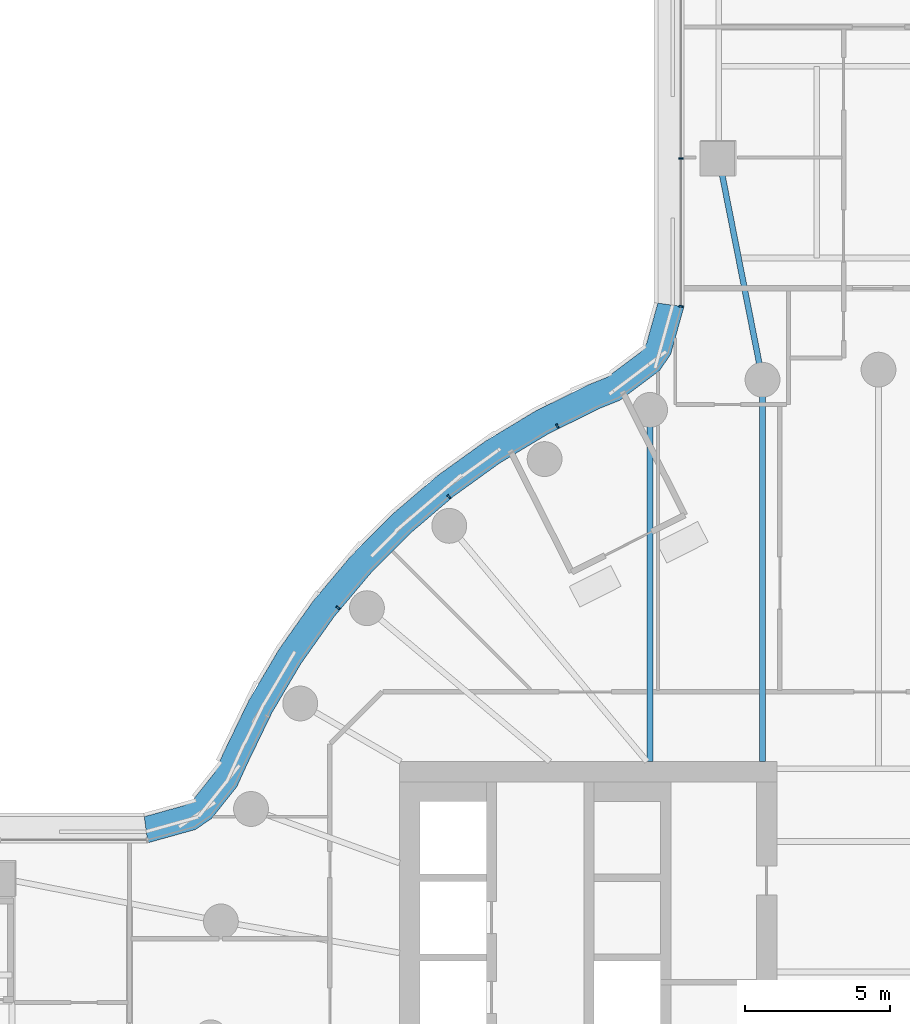
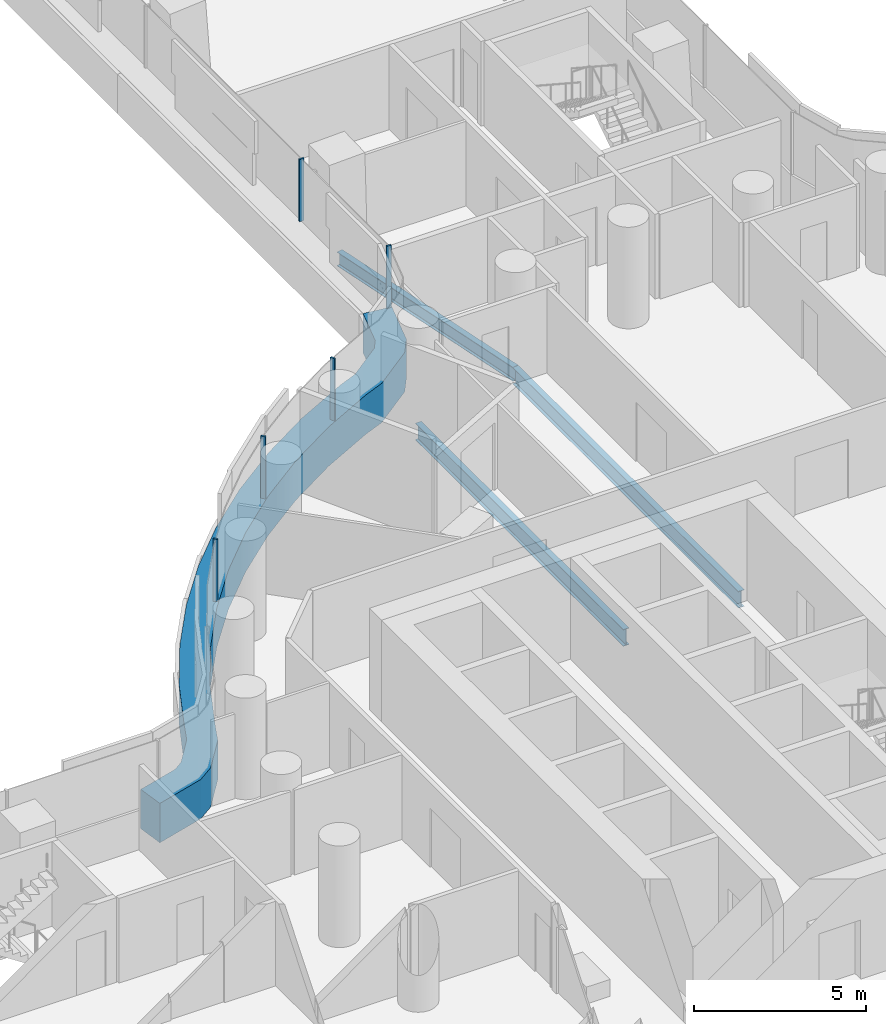
# One storey, part 13 of 32: 6 members, 3 beams, 2 elements without a shape of their own.
"""IFC4 building model written with IfcOpenShell, lengths in metres."""

from ifc_helpers import new_model, si_unit, direction, frame, origin, origin_2d, place, context, subcontext, project, spatial, polyline, rectangle, i_section, outline, extrude, material, layer, layer_set, material_profile, profile_set, type_object, element, aggregate, save


model = new_model("IFC4")

# Units and contexts
model_context = context("Model", 3, precision=1e-05, world=origin(), true_north=direction((0.0, 1.0)))
body_context = subcontext(model_context, "Body", "Model", "MODEL_VIEW")
ifc_project = project(units=[si_unit("LENGTHUNIT", "METRE"), si_unit("AREAUNIT", "SQUARE_METRE"), si_unit("VOLUMEUNIT", "CUBIC_METRE"), si_unit("PLANEANGLEUNIT", "RADIAN"), si_unit("MASSUNIT", "GRAM", prefix="KILO")], contexts=[model_context])

# Site, building, storey
site_placement = place(None, origin())
site = spatial("IfcSite", under=ifc_project, at=site_placement, CompositionType="ELEMENT")
building_placement = place(site_placement, origin())
building = spatial("IfcBuilding", under=site, at=building_placement, Name="Tamarind Cross Interchange Tower", CompositionType="ELEMENT")
storey_placement = place(building_placement, frame((0.0, 0.0, 34.0)))
storey = spatial("IfcBuildingStorey", under=building, at=storey_placement, Name="L06", CompositionType="ELEMENT", Elevation=34.0)

# Beams
ifc_material_1 = material(Name="Steel Q355B", Category="steel")
ifc_material_profile_1 = material_profile(ifc_material_1, i_section(OverallWidth=0.198974609375, OverallDepth=0.49609375, WebThickness=0.009033203125, FlangeThickness=0.013916015625, FilletRadius=0.012939453125, at=origin_2d()), Name="HN 496x199x9x14")
ifc_profile_set_1 = profile_set([ifc_material_profile_1], Name="Steel Q355B")
beam_type_1 = type_object("IfcBeamType", Name="Composite beam HN 496x199x9x14 Q355B", PredefinedType="BEAM", material=ifc_profile_set_1)
beam_1_placement = place(storey_placement, frame((-5.5, 30.300048828125, -0.387939453125), z_axis=(0.193182484014, -0.981162844726, 0.0), x_axis=(0.981162844726, 0.193182484014, 0.0)))
element("IfcBeam", 1, at=beam_1_placement, inside=storey, type_object=beam_type_1, Name="Beam N-linkep", PredefinedType="BEAM", context=body_context, shape_type="SweptSolid", body=[
    extrude(i_section(OverallWidth=0.198974609375, OverallDepth=0.49609375, WebThickness=0.009033203125, FlangeThickness=0.013916015625, FilletRadius=0.012939453125, at=origin_2d()), origin(), (0.0, 0.0, 1.0), 7.79638671875),
])
ifc_material_profile_2 = material_profile(ifc_material_1, i_section(OverallWidth=0.198974609375, OverallDepth=0.595947265625, WebThickness=0.010009765625, FlangeThickness=0.014892578125, FilletRadius=0.012939453125, at=origin_2d()), Name="HN 596x199x10x15")
ifc_profile_set_2 = profile_set([ifc_material_profile_2], Name="Steel Q355B")
beam_type_2 = type_object("IfcBeamType", Name="Composite beam HN 596x199x10x15 Q355B", PredefinedType="BEAM", material=ifc_profile_set_2)
beam_2_placement = place(storey_placement, frame((-3.993896484375, 22.650634765625, -0.43798828125), z_axis=(0.0, -1.0, 0.0), x_axis=(1.0, 0.0, 0.0)))
element("IfcBeam", 2, at=beam_2_placement, inside=storey, type_object=beam_type_2, Name="Beam HH10", PredefinedType="BEAM", context=body_context, shape_type="SweptSolid", body=[
    extrude(i_section(OverallWidth=0.198974609375, OverallDepth=0.595947265625, WebThickness=0.010009765625, FlangeThickness=0.014892578125, FilletRadius=0.012939453125, at=origin_2d()), origin(), (0.0, 0.0, 1.0), 13.150634765625),
])
beam_3_placement = place(storey_placement, frame((-7.866455078125, 21.613037109375, -0.43798828125), z_axis=(0.0, -1.0, 0.0), x_axis=(1.0, 0.0, 0.0)))
element("IfcBeam", 3, at=beam_3_placement, inside=storey, type_object=beam_type_2, Name="Beam HH11", PredefinedType="BEAM", context=body_context, shape_type="SweptSolid", body=[
    extrude(i_section(OverallWidth=0.198974609375, OverallDepth=0.595947265625, WebThickness=0.010009765625, FlangeThickness=0.014892578125, FilletRadius=0.012939453125, at=origin_2d()), origin(), (0.0, 0.0, 1.0), 12.113037109375),
])

# Curtain wall, member
ifc_material_2 = material(Name="Aluminium 6063-T6", Category="aluminium")
ifc_layer_1 = layer(ifc_material_2, 0.14990234375)
ifc_layer_set_1 = layer_set([ifc_layer_1], Name="Aluminium 6063-T6")
curtain_wall_type_1 = type_object("IfcCurtainWallType", Name="Winter garden and crown curtain wall", PredefinedType="NOTDEFINED", material=ifc_layer_set_1)
curtain_wall_1_placement = place(storey_placement, origin())
curtain_wall_1 = element("IfcCurtainWall", 4, at=curtain_wall_1_placement, inside=storey, type_object=curtain_wall_type_1, Name="CWS-L06-15", PredefinedType="NOTDEFINED")
ifc_material_3 = material(Name="Aluminium and insulated spandrel panel", Category="aluminium")
member_type_1 = type_object("IfcMemberType", Name="Floor-edge blade transom", PredefinedType="USERDEFINED", material=ifc_material_3)
member_1_placement = place(storey_placement, origin())
member_1 = element("IfcMember", 5, at=member_1_placement, type_object=member_type_1, Name="CWT-L06-15", ObjectType="TRANSOM", PredefinedType="USERDEFINED", context=body_context, shape_type="SweptSolid", body=[
    extrude(outline(polyline([(-6.699951171875, 25.167724609375), (-7.158203125, 23.5263671875), (-7.53955078125, 22.96826171875), (-8.900634765625, 21.94580078125), (-9.61083984375, 21.6591796875), (-11.367431640625, 20.791015625), (-13.045654296875, 19.78125), (-14.634521484375, 18.636474609375), (-16.12353515625, 17.3642578125), (-17.50244140625, 15.973388671875), (-18.76171875, 14.4736328125), (-19.892822265625, 12.874755859375), (-20.88818359375, 11.188232421875), (-21.744384765625, 9.417236328125), (-22.099365234375, 8.63427734375), (-22.9716796875, 7.537109375), (-23.5263671875, 7.158203125), (-25.167724609375, 6.699951171875), (-25.291015625, 7.60009765625), (-23.911376953125, 7.985107421875), (-23.591552734375, 8.20361328125), (-22.873046875, 9.107421875), (-22.5595703125, 9.798828125), (-21.68212890625, 11.613525390625), (-20.64892578125, 13.3642578125), (-19.474853515625, 15.023681640625), (-18.167724609375, 16.580810546875), (-16.736572265625, 18.0244140625), (-15.19091796875, 19.344970703125), (-13.54150390625, 20.533203125), (-11.799560546875, 21.581298828125), (-9.97900390625, 22.481201171875), (-9.346923828125, 22.736328125), (-8.19873046875, 23.5986328125), (-7.985107421875, 23.911376953125), (-7.60009765625, 25.291015625), (-6.699951171875, 25.167724609375)])), origin(), (0.0, 0.0, 1.0), 1.39990234375),
])

ifc_layer_2 = layer(ifc_material_2, 0.159912109375)
ifc_layer_set_2 = layer_set([ifc_layer_2], Name="Aluminium 6063-T6")
curtain_wall_type_2 = type_object("IfcCurtainWallType", Name="Office curtain wall, 9.0 m bays", PredefinedType="NOTDEFINED", material=ifc_layer_set_2)
curtain_wall_2_placement = place(storey_placement, origin())
curtain_wall_2 = element("IfcCurtainWall", 6, at=curtain_wall_2_placement, inside=storey, type_object=curtain_wall_type_2, Name="CWS-L06-14", PredefinedType="NOTDEFINED")
ifc_material_profile_3 = material_profile(ifc_material_2, rectangle(XDim=0.06005859375, YDim=0.159912109375, at=origin_2d()), Name="Mullion CW1")
ifc_profile_set_3 = profile_set([ifc_material_profile_3], Name="Aluminium 6063-T6")
member_type_2 = type_object("IfcMemberType", Name="Mullion CW1", PredefinedType="MULLION", material=ifc_profile_set_3)
member_2_placement = place(storey_placement, frame((-6.800048828125, 30.272705078125, 1.39990234375), z_axis=(0.0, 0.0, 1.0), x_axis=(0.0, -1.0, 0.0)))
member_2 = element("IfcMember", 7, at=member_2_placement, type_object=member_type_2, Name="CWM-L06-14-02", PredefinedType="MULLION", context=body_context, shape_type="SweptSolid", body=[
    extrude(rectangle(XDim=0.06005859375, YDim=0.159912109375, at=origin_2d()), origin(), (0.0, 0.0, 1.0), 2.210205078125),
])
aggregate(curtain_wall_2, [member_2])

# Member
ifc_material_profile_4 = material_profile(ifc_material_2, rectangle(XDim=0.06005859375, YDim=0.14990234375, at=origin_2d()), Name="Mullion CW6")
ifc_profile_set_4 = profile_set([ifc_material_profile_4], Name="Aluminium 6063-T6")
member_type_3 = type_object("IfcMemberType", Name="Mullion CW6", PredefinedType="MULLION", material=ifc_profile_set_4)
member_3_placement = place(storey_placement, frame((-6.800048828125, 25.181396484375, 1.39990234375), z_axis=(0.0, 0.0, 1.0), x_axis=(-0.135689119078, -0.990751463771, 0.0)))
member_3 = element("IfcMember", 8, at=member_3_placement, type_object=member_type_3, Name="CWM-L06-15-00", PredefinedType="MULLION", context=body_context, shape_type="SweptSolid", body=[
    extrude(rectangle(XDim=0.06005859375, YDim=0.14990234375, at=origin_2d()), origin(), (0.0, 0.0, 1.0), 2.210205078125),
])

member_4_placement = place(storey_placement, frame((-11.0615234375, 21.0537109375, 1.39990234375), z_axis=(0.0, 0.0, 1.0), x_axis=(-0.896492548518, -0.443058811505, 0.0)))
member_4 = element("IfcMember", 9, at=member_4_placement, type_object=member_type_3, Name="CWM-L06-15-01", PredefinedType="MULLION", context=body_context, shape_type="SweptSolid", body=[
    extrude(rectangle(XDim=0.06005859375, YDim=0.14990234375, at=origin_2d()), origin(), (0.0, 0.0, 1.0), 2.210205078125),
])

member_5_placement = place(storey_placement, frame((-14.8017578125, 18.625244140625, 1.39990234375), z_axis=(0.0, 0.0, 1.0), x_axis=(-0.760295606781, -0.64957723968, 0.0)))
member_5 = element("IfcMember", 10, at=member_5_placement, type_object=member_type_3, Name="CWM-L06-15-02", PredefinedType="MULLION", context=body_context, shape_type="SweptSolid", body=[
    extrude(rectangle(XDim=0.06005859375, YDim=0.14990234375, at=origin_2d()), origin(), (0.0, 0.0, 1.0), 2.210205078125),
])

member_6_placement = place(storey_placement, frame((-18.6201171875, 14.797607421875, 1.39990234375), z_axis=(0.0, 0.0, 1.0), x_axis=(-0.643009266048, -0.765858396687, 0.0)))
member_6 = element("IfcMember", 11, at=member_6_placement, type_object=member_type_3, Name="CWM-L06-15-03", PredefinedType="MULLION", context=body_context, shape_type="SweptSolid", body=[
    extrude(rectangle(XDim=0.06005859375, YDim=0.14990234375, at=origin_2d()), origin(), (0.0, 0.0, 1.0), 2.210205078125),
])

aggregate(curtain_wall_1, [member_3, member_4, member_5, member_6, member_1])

save(model, "model.ifc")
